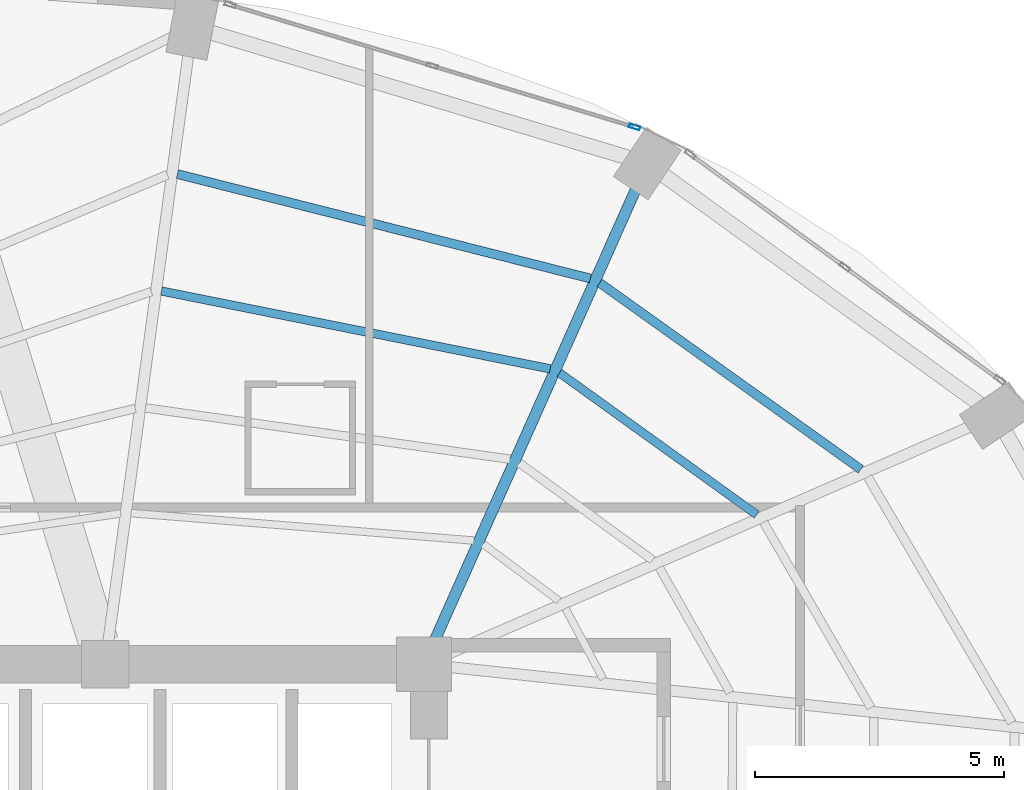
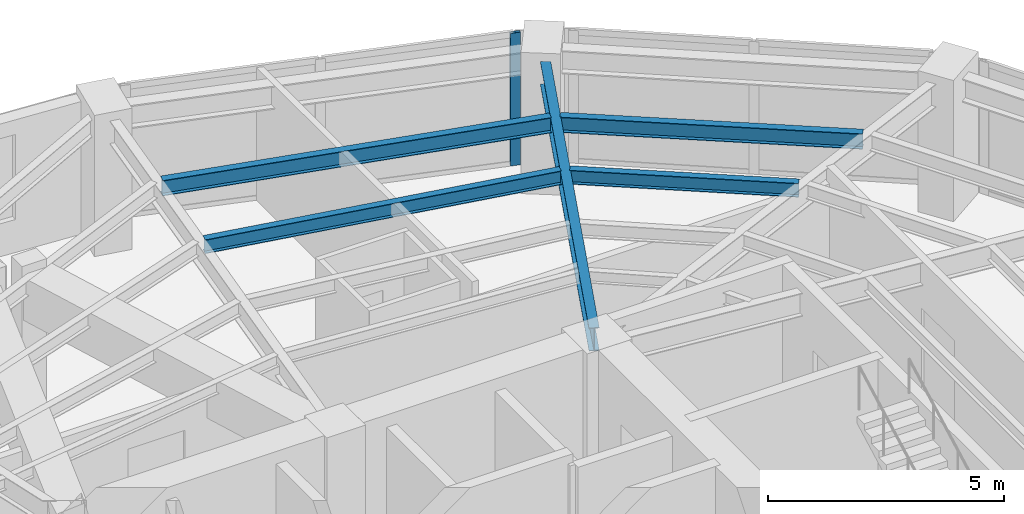
# One storey, part 17 of 24: 5 beams, 1 member, 1 element without a shape of its own.
"""IFC4 building model written with IfcOpenShell, lengths in metres."""

from ifc_helpers import new_model, si_unit, direction, frame, origin, origin_2d, place, context, subcontext, project, spatial, hollow_rectangle, i_section, extrude, material, layer, layer_set, material_profile, profile_set, type_object, element, aggregate, save


model = new_model("IFC4")

# Units and contexts
model_context = context("Model", 3, precision=1e-05, world=origin(), true_north=direction((0.0, 1.0)))
body_context = subcontext(model_context, "Body", "Model", "MODEL_VIEW")
ifc_project = project(units=[si_unit("LENGTHUNIT", "METRE"), si_unit("AREAUNIT", "SQUARE_METRE"), si_unit("VOLUMEUNIT", "CUBIC_METRE"), si_unit("PLANEANGLEUNIT", "RADIAN"), si_unit("MASSUNIT", "GRAM", prefix="KILO")], contexts=[model_context])

# Site, building, storey
site_placement = place(None, origin())
site = spatial("IfcSite", under=ifc_project, at=site_placement, CompositionType="ELEMENT")
building_placement = place(site_placement, origin())
building = spatial("IfcBuilding", under=site, at=building_placement, Name="Lazwardi Medical Tower", CompositionType="ELEMENT")
storey_placement = place(building_placement, frame((0.0, 0.0, 110.927978515625)))
storey = spatial("IfcBuildingStorey", under=building, at=storey_placement, Name="L28", CompositionType="ELEMENT", Elevation=110.927978515625)

# Beams
ifc_material_1 = material(Name="Steel S355", Category="steel")
ifc_material_profile_1 = material_profile(ifc_material_1, i_section(OverallWidth=0.219970703125, OverallDepth=0.60009765625, WebThickness=0.011962890625, FlangeThickness=0.01904296875, at=origin_2d()), Name="IPE 600")
ifc_profile_set_1 = profile_set([ifc_material_profile_1], Name="Steel S355")
beam_type_1 = type_object("IfcBeamType", Name="BM-RG-W1", PredefinedType="BEAM", material=ifc_profile_set_1)
beam_1_placement = place(storey_placement, frame((49.847412109375, 45.127685546875, 3.1279296875), z_axis=(-0.407165924957, -0.913354208155, 0.0), x_axis=(0.913354208155, -0.407165924957, 0.0)))
element("IfcBeam", 1, at=beam_1_placement, inside=storey, type_object=beam_type_1, Name="Radial girder RG-02 R07 L28", PredefinedType="BEAM", context=body_context, shape_type="SweptSolid", body=[
    extrude(i_section(OverallWidth=0.219970703125, OverallDepth=0.60009765625, WebThickness=0.011962890625, FlangeThickness=0.01904296875, at=origin_2d()), origin(), (0.0, 0.0, 1.0), 9.896484375),
])
ifc_material_profile_2 = material_profile(ifc_material_1, i_section(OverallWidth=0.179931640625, OverallDepth=0.39990234375, WebThickness=0.008544921875, FlangeThickness=0.013427734375, at=origin_2d()), Name="IPE 400")
ifc_profile_set_2 = profile_set([ifc_material_profile_2], Name="Steel S355")
beam_type_2 = type_object("IfcBeamType", Name="BM-SJ-01", PredefinedType="JOIST", material=ifc_profile_set_2)
beam_2_placement = place(storey_placement, frame((54.369384765625, 39.514404296875, 3.22802734375), z_axis=(-0.813748834317, 0.581216684763, 0.0), x_axis=(-0.581216684763, -0.813748834317, 0.0)))
element("IfcBeam", 2, at=beam_2_placement, inside=storey, type_object=beam_type_2, Name="Secondary joist SJ-01 R1 B06 L28", PredefinedType="JOIST", context=body_context, shape_type="SweptSolid", body=[
    extrude(i_section(OverallWidth=0.179931640625, OverallDepth=0.39990234375, WebThickness=0.008544921875, FlangeThickness=0.013427734375, at=origin_2d()), origin(), (0.0, 0.0, 1.0), 6.4423828125),
])
beam_3_placement = place(storey_placement, frame((48.939697265625, 43.345703125, 3.22802734375), z_axis=(-0.96945186753, 0.245281626997, 0.0), x_axis=(-0.245281626997, -0.96945186753, 0.0)))
element("IfcBeam", 3, at=beam_3_placement, inside=storey, type_object=beam_type_2, Name="Secondary joist SJ-01 R1 B07 L28", PredefinedType="JOIST", context=body_context, shape_type="SweptSolid", body=[
    extrude(i_section(OverallWidth=0.179931640625, OverallDepth=0.39990234375, WebThickness=0.008544921875, FlangeThickness=0.013427734375, at=origin_2d()), origin(), (0.0, 0.0, 1.0), 8.552978515625),
])
ifc_material_profile_3 = material_profile(ifc_material_1, i_section(OverallWidth=0.169921875, OverallDepth=0.360107421875, WebThickness=0.008056640625, FlangeThickness=0.0126953125, at=origin_2d()), Name="IPE 360")
ifc_profile_set_3 = profile_set([ifc_material_profile_3], Name="Steel S355")
beam_type_3 = type_object("IfcBeamType", Name="BM-SJ-02", PredefinedType="JOIST", material=ifc_profile_set_3)
beam_4_placement = place(storey_placement, frame((52.278564453125, 38.604736328125, 3.248046875), z_axis=(-0.811888517177, 0.583812500446, 0.0), x_axis=(-0.583812500446, -0.811888517177, 0.0)))
element("IfcBeam", 4, at=beam_4_placement, inside=storey, type_object=beam_type_3, Name="Secondary joist SJ-02 R2 B06 L28", PredefinedType="JOIST", context=body_context, shape_type="SweptSolid", body=[
    extrude(i_section(OverallWidth=0.169921875, OverallDepth=0.360107421875, WebThickness=0.008056640625, FlangeThickness=0.0126953125, at=origin_2d()), origin(), (0.0, 0.0, 1.0), 4.874755859375),
])
beam_5_placement = place(storey_placement, frame((48.1328125, 41.53271484375, 3.248046875), z_axis=(-0.980542906584, 0.196304886203, 0.0), x_axis=(-0.196304886203, -0.980542906584, 0.0)))
element("IfcBeam", 5, at=beam_5_placement, inside=storey, type_object=beam_type_3, Name="Secondary joist SJ-02 R2 B07 L28", PredefinedType="JOIST", context=body_context, shape_type="SweptSolid", body=[
    extrude(i_section(OverallWidth=0.169921875, OverallDepth=0.360107421875, WebThickness=0.008056640625, FlangeThickness=0.0126953125, at=origin_2d()), origin(), (0.0, 0.0, 1.0), 7.95947265625),
])

# Curtain wall, member
ifc_material_2 = material(Name="Anodised bronze aluminium and solar control glazing", Category="aluminium")
ifc_layer = layer(ifc_material_2, 0.195068359375)
ifc_layer_set = layer_set([ifc_layer], Name="Anodised bronze aluminium and solar control glazing")
curtain_wall_type = type_object("IfcCurtainWallType", Name="CW-SYS-03", PredefinedType="NOTDEFINED", material=ifc_layer_set)
curtain_wall_placement = place(storey_placement, origin())
curtain_wall = element("IfcCurtainWall", 6, at=curtain_wall_placement, inside=storey, type_object=curtain_wall_type, Name="L28 Unitised bronze curtain wall CW-03", PredefinedType="NOTDEFINED")
ifc_material_3 = material(Name="Anodised bronze aluminium", Category="aluminium")
ifc_material_profile_4 = material_profile(ifc_material_3, hollow_rectangle(XDim=0.074951171875, YDim=0.219970703125, WallThickness=0.00390625, at=origin_2d()), Name="ALU-MULLION 220x75x4")
ifc_profile_set_4 = profile_set([ifc_material_profile_4], Name="Anodised bronze aluminium")
member_type = type_object("IfcMemberType", Name="CW-MUL-01", PredefinedType="MULLION", material=ifc_profile_set_4)
member_placement = place(storey_placement, frame((49.828369140625, 46.385986328125, 0.0), z_axis=(0.0, 0.0, 1.0), x_axis=(-0.28937381157, -0.957216170558, 0.0)))
member = element("IfcMember", 7, at=member_placement, type_object=member_type, Name="CW-03 mullion 1", PredefinedType="MULLION", context=body_context, shape_type="SweptSolid", body=[
    extrude(hollow_rectangle(XDim=0.074951171875, YDim=0.219970703125, WallThickness=0.00390625, at=origin_2d()), origin(), (0.0, 0.0, 1.0), 3.427978515625),
])
aggregate(curtain_wall, [member])

save(model, "model.ifc")
